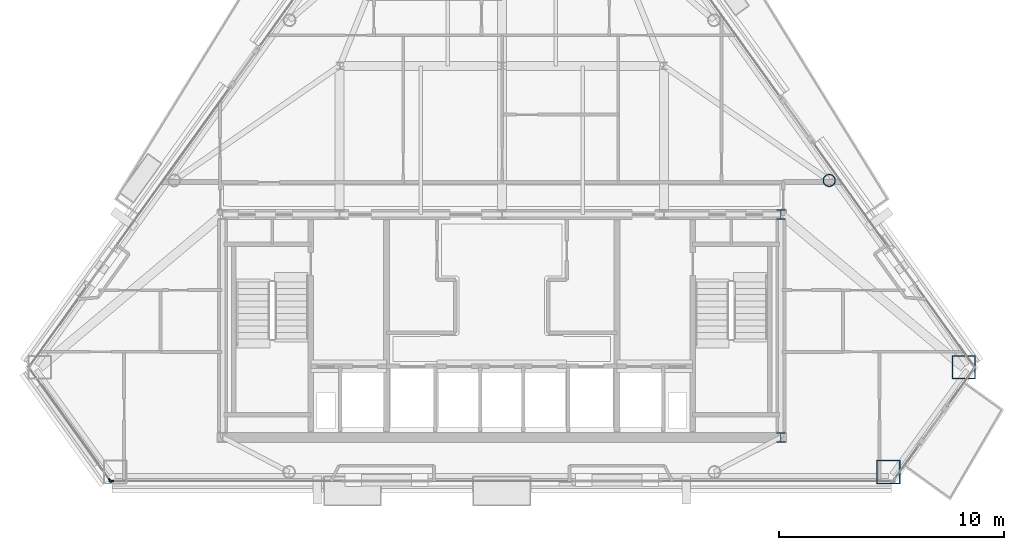
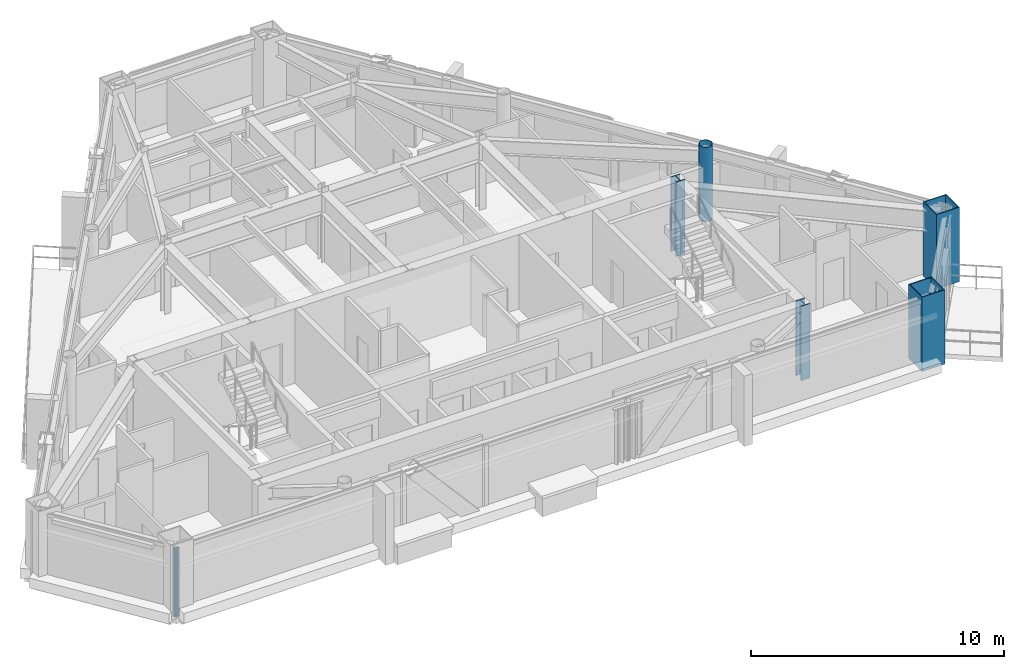
# One storey, part 2 of 12: 5 columns, 2 members, 2 elements without a shape of their own.
"""IFC4 building model written with IfcOpenShell, lengths in metres."""

import ifcopenshell
import ifcopenshell.guid

model = None  # the IFC model being written
_history = None  # IfcOwnerHistory: only IFC2X3 demands one
_inside = {}  # id of a spatial element -> (the spatial element, [elements in it])
_under = {}  # id of a project, library or spatial element -> (it, [spatial elements below it])
_declared = {}  # id of a project -> (the project, [libraries it declares])
_typed = {}  # id of a type object -> (the type object, [elements of that type])
_made_of = {}  # id of a material, layer set ... -> (it, [elements and type objects made of it])


def new_model(schema):
    """Start an empty IFC model of exactly this schema.

    Asked for "IFC4X3", IfcOpenShell would pick the latest addendum, in which some entities
    have other attributes; the version numbers below select the first issue.
    IFC2X3 requires an IfcOwnerHistory on every rooted entity: one is made here for all.
    """
    global model, _history
    if schema == "IFC4X3":
        model = ifcopenshell.file(schema_version=(4, 3, 0, 0))
    else:
        model = ifcopenshell.file(schema=schema)
    _inside.clear()
    _under.clear()
    _declared.clear()
    _typed.clear()
    _made_of.clear()
    _history = None
    if model.schema == "IFC2X3":
        org = make("IfcOrganization", Name="unknown")
        user = make(
            "IfcPersonAndOrganization",
            ThePerson=make("IfcPerson", FamilyName="unknown"),
            TheOrganization=org,
        )
        app = make(
            "IfcApplication",
            ApplicationDeveloper=org,
            Version="unknown",
            ApplicationFullName="unknown",
            ApplicationIdentifier="unknown",
        )
        _history = make(
            "IfcOwnerHistory",
            OwningUser=user,
            OwningApplication=app,
            ChangeAction="ADDED",
            CreationDate=0,
        )
    return model


def make(cls, **values):
    """One entity of the class cls with the attributes given. An attribute that is None is left unset."""
    return model.create_entity(
        cls, **{name: value for name, value in values.items() if value is not None}
    )


def rooted(cls, **values):
    """An entity with a GlobalId (a new one), such as an element, a storey or a relation."""
    return make(cls, GlobalId=ifcopenshell.guid.new(), OwnerHistory=_history, **values)


def si_unit(unit_type, name, prefix=None):
    """IfcSIUnit, for example si_unit("LENGTHUNIT", "METRE", prefix="MILLI")."""
    return make("IfcSIUnit", UnitType=unit_type, Prefix=prefix, Name=name)


def assignment(units):
    """IfcUnitAssignment: the units of a project."""
    return None if units is None else make("IfcUnitAssignment", Units=units)


def point(xyz):
    """IfcCartesianPoint."""
    return None if xyz is None else make("IfcCartesianPoint", Coordinates=xyz)


def direction(xyz):
    """IfcDirection."""
    return None if xyz is None else make("IfcDirection", DirectionRatios=xyz)


def frame(location, z_axis=None, x_axis=None):
    """IfcAxis2Placement3D, a coordinate frame: its origin and axes. An axis left out is left unset."""
    return make(
        "IfcAxis2Placement3D",
        Location=point(location),
        Axis=direction(z_axis),
        RefDirection=direction(x_axis),
    )


def frame_2d(location, x_axis=None):
    """IfcAxis2Placement2D, a coordinate frame in the plane: its origin and x axis."""
    return make(
        "IfcAxis2Placement2D", Location=point(location), RefDirection=direction(x_axis)
    )


def origin():
    """The frame at (0, 0, 0) with its axes left unset."""
    return frame((0.0, 0.0, 0.0))


def origin_2d():
    """The frame at (0, 0) in the plane with its x axis left unset."""
    return frame_2d((0.0, 0.0))


def place(relative_to, where):
    """IfcLocalPlacement: puts the frame where relative to a parent placement (None: the world)."""
    return make(
        "IfcLocalPlacement", PlacementRelTo=relative_to, RelativePlacement=where
    )


def context(
    kind, dimensions, precision=None, world=None, true_north=None, identifier=None
):
    """IfcGeometricRepresentationContext, for example the 3D "Model" context."""
    return make(
        "IfcGeometricRepresentationContext",
        ContextIdentifier=identifier,
        ContextType=kind,
        CoordinateSpaceDimension=dimensions,
        Precision=precision,
        WorldCoordinateSystem=world,
        TrueNorth=true_north,
    )


def subcontext(parent, identifier, kind, view, scale=None):
    """IfcGeometricRepresentationSubContext, for example "Body" below "Model"."""
    return make(
        "IfcGeometricRepresentationSubContext",
        ContextIdentifier=identifier,
        ContextType=kind,
        ParentContext=parent,
        TargetScale=scale,
        TargetView=view,
    )


def project(units=None, contexts=None):
    """IfcProject with its units and contexts."""
    return rooted(
        "IfcProject",
        Name="project",
        RepresentationContexts=contexts,
        UnitsInContext=assignment(units),
    )


def spatial(cls, under=None, at=None, **own):
    """A site, building, storey or space (cls), placed at a placement, below another one or the project."""
    s = rooted(cls, ObjectPlacement=at, **own)
    if under is not None:
        _under.setdefault(under.id(), (under, []))[1].append(s)
    return s


def profile(cls, at=None, kind="AREA", **sizes):
    """A parametric profile (cls). Its sizes go by their IFC names, for example OverallWidth=200.0."""
    return make(cls, ProfileType=kind, Position=at, **sizes)


def rectangle(**sizes):
    """IfcRectangleProfileDef."""
    return profile("IfcRectangleProfileDef", **sizes)


def hollow_rectangle(**sizes):
    """IfcRectangleHollowProfileDef."""
    return profile("IfcRectangleHollowProfileDef", **sizes)


def hollow_circle(**sizes):
    """IfcCircleHollowProfileDef."""
    return profile("IfcCircleHollowProfileDef", **sizes)


def i_section(**sizes):
    """IfcIShapeProfileDef."""
    return profile("IfcIShapeProfileDef", **sizes)


def extrude(swept, where, along, depth):
    """IfcExtrudedAreaSolid: the profile swept, set in the frame where, extruded along a direction by depth."""
    return make(
        "IfcExtrudedAreaSolid",
        SweptArea=swept,
        Position=where,
        ExtrudedDirection=direction(along),
        Depth=depth,
    )


def shape(context_of_items, identifier, shape_type, items):
    """IfcShapeRepresentation: the items that make up one representation, for example the "Body"."""
    return make(
        "IfcShapeRepresentation",
        ContextOfItems=context_of_items,
        RepresentationIdentifier=identifier,
        RepresentationType=shape_type,
        Items=items,
    )


def material(Name=None, Category=None):
    """IfcMaterial."""
    return make("IfcMaterial", Name=Name, Category=Category)


def layer(
    of_material, thickness, ventilated=None, Name=None, Category=None, Priority=None
):
    """IfcMaterialLayer: one layer of a wall or slab, of a material (None: an air gap)."""
    return make(
        "IfcMaterialLayer",
        Material=of_material,
        LayerThickness=thickness,
        IsVentilated=ventilated,
        Name=Name,
        Category=Category,
        Priority=Priority,
    )


def layer_set(layers, Name=None):
    """IfcMaterialLayerSet."""
    return make("IfcMaterialLayerSet", MaterialLayers=layers, LayerSetName=Name)


def material_profile(
    of_material, cross_section, Name=None, Category=None, Priority=None
):
    """IfcMaterialProfile: a cross section and its material."""
    return make(
        "IfcMaterialProfile",
        Name=Name,
        Material=of_material,
        Profile=cross_section,
        Priority=Priority,
        Category=Category,
    )


def profile_set(profiles, Name=None, composite=None):
    """IfcMaterialProfileSet."""
    return make(
        "IfcMaterialProfileSet",
        Name=Name,
        MaterialProfiles=profiles,
        CompositeProfile=composite,
    )


def made_of(thing, what):
    """Note that an element or type object is made of a material, layer set ...; save() writes the relation."""
    if what is not None:
        _made_of.setdefault(what.id(), (what, []))[1].append(thing)
    return thing


def type_object(cls, material=None, **own):
    """A type object (cls), such as IfcWallType, which elements share."""
    return made_of(rooted(cls, **own), material)


def element(
    cls,
    number,
    at=None,
    inside=None,
    cuts=None,
    type_object=None,
    material=None,
    context=None,
    identifier="Body",
    shape_type=None,
    held_by="IfcProductDefinitionShape",
    body=None,
    shapes=None,
    **own,
):
    """One element of the class cls, such as IfcWall. Its Tag is "e" and its number.

    at: its placement. inside: the storey or other place that contains it. cuts: it is an
    opening in that element (IfcRelVoidsElement). A single representation is given by context,
    identifier, shape_type and body (its items); several are given by shapes. held_by: the class
    of the entity that holds the representations. save() writes the other relations.
    """
    e = rooted(cls, Tag="e%d" % number, ObjectPlacement=at, **own)
    if body is not None:
        shapes = [shape(context, identifier, shape_type, body)]
    if shapes is not None:
        e.Representation = make(held_by, Representations=shapes)
    if inside is not None:
        _inside.setdefault(inside.id(), (inside, []))[1].append(e)
    if cuts is not None:
        rooted(
            "IfcRelVoidsElement", RelatingBuildingElement=cuts, RelatedOpeningElement=e
        )
    if type_object is not None:
        _typed.setdefault(type_object.id(), (type_object, []))[1].append(e)
    return made_of(e, material)


def aggregate(whole, parts):
    """IfcRelAggregates: a whole, such as a stair, and the parts it consists of."""
    return rooted("IfcRelAggregates", RelatingObject=whole, RelatedObjects=parts)


def save(model, path):
    """Write the relations noted so far, then the file.

    IfcRelAggregates (storeys below a building ...), IfcRelContainedInSpatialStructure (elements
    in a storey), IfcRelDefinesByType, IfcRelAssociatesMaterial and IfcRelDeclares: one each for
    every whole, place, type object, material and project.
    """
    for whole, parts in _under.values():
        aggregate(whole, parts)
    for where, things in _inside.values():
        rooted(
            "IfcRelContainedInSpatialStructure",
            RelatedElements=things,
            RelatingStructure=where,
        )
    for kind, things in _typed.values():
        rooted("IfcRelDefinesByType", RelatedObjects=things, RelatingType=kind)
    for what, things in _made_of.values():
        rooted("IfcRelAssociatesMaterial", RelatedObjects=things, RelatingMaterial=what)
    for by, libraries in _declared.values():
        rooted("IfcRelDeclares", RelatingContext=by, RelatedDefinitions=libraries)
    model.write(path)


model = new_model("IFC4")

# Units and contexts
model_context = context("Model", 3, precision=1e-05, world=origin(), true_north=direction((0.0, 1.0)))
body_context = subcontext(model_context, "Body", "Model", "MODEL_VIEW")
ifc_project = project(units=[si_unit("LENGTHUNIT", "METRE"), si_unit("AREAUNIT", "SQUARE_METRE"), si_unit("VOLUMEUNIT", "CUBIC_METRE"), si_unit("PLANEANGLEUNIT", "RADIAN"), si_unit("MASSUNIT", "GRAM", prefix="KILO")], contexts=[model_context])

# Site, building, storey
site_placement = place(None, origin())
site = spatial("IfcSite", under=ifc_project, at=site_placement, CompositionType="ELEMENT")
building_placement = place(site_placement, origin())
building = spatial("IfcBuilding", under=site, at=building_placement, Name="Talgorran Terracotta Tower", CompositionType="ELEMENT")
storey_placement = place(building_placement, frame((0.0, 0.0, 192.89990234375)))
storey = spatial("IfcBuildingStorey", under=building, at=storey_placement, Name="L50", CompositionType="ELEMENT", Elevation=192.89990234375)

# Columns
ifc_material_1 = material(Name="Steel S355 (300PLUS)", Category="steel")
ifc_material_profile_1 = material_profile(ifc_material_1, i_section(OverallWidth=0.39990234375, OverallDepth=0.43994140625, WebThickness=0.028076171875, FlangeThickness=0.0400390625, at=origin_2d()), Name="400WC328")
ifc_profile_set_1 = profile_set([ifc_material_profile_1], Name="Steel S355 (300PLUS)")
column_type_1 = type_object("IfcColumnType", Name="COL_400WC328", PredefinedType="COLUMN", material=ifc_profile_set_1)
for number, where, z_axis, x_axis, name in (
    (1, (12.39990234375, -14.10009765625, 0.0), (0.0, 0.0, 1.0), (1.0, 0.0, 0.0), "L50 Core Boundary Column CC2"),
    (2, (12.39990234375, -4.199951171875, 0.0), (0.0, 0.0, 1.0), (1.0, 0.0, 0.0), "L50 Core Boundary Column CC3"),
):
    element("IfcColumn", number, at=place(storey_placement, frame(where, z_axis=z_axis, x_axis=x_axis)), inside=storey, type_object=column_type_1, Name=name, PredefinedType="COLUMN", context=body_context, shape_type="SweptSolid", body=[
        extrude(i_section(OverallWidth=0.39990234375, OverallDepth=0.43994140625, WebThickness=0.028076171875, FlangeThickness=0.0400390625, at=origin_2d()), origin(), (0.0, 0.0, 1.0), 3.60009765625),
    ])
ifc_material_2 = material(Name="Steel Grade 350 (350L0)", Category="steel")
ifc_material_profile_2 = material_profile(ifc_material_2, hollow_rectangle(XDim=1.050048828125, YDim=1.050048828125, WallThickness=0.044921875, at=origin_2d()), Name="CFT1050X1050X45")
ifc_profile_set_2 = profile_set([ifc_material_profile_2], Name="Steel Grade 350 (350L0)")
column_type_2 = type_object("IfcColumnType", Name="COL_CFT_1050", PredefinedType="COLUMN", material=ifc_profile_set_2)
for number, where, z_axis, x_axis, name in (
    (3, (17.1796875, -15.64111328125, 0.0), (0.0, 0.0, 1.0), (1.0, 0.0, 0.0), "L50 Corner CFT Mega-Column MC3"),
    (4, (20.524169921875, -10.9921875, 0.0), (0.0, 0.0, 1.0), (1.0, 0.0, 0.0), "L50 Corner CFT Mega-Column MC4"),
):
    element("IfcColumn", number, at=place(storey_placement, frame(where, z_axis=z_axis, x_axis=x_axis)), inside=storey, type_object=column_type_2, Name=name, PredefinedType="COLUMN", context=body_context, shape_type="SweptSolid", body=[
        extrude(hollow_rectangle(XDim=1.050048828125, YDim=1.050048828125, WallThickness=0.044921875, at=origin_2d()), origin(), (0.0, 0.0, 1.0), 3.60009765625),
    ])
ifc_material_profile_3 = material_profile(ifc_material_2, hollow_circle(Radius=0.27490234375, WallThickness=0.02392578125, at=origin_2d()), Name="CHS550X24")
ifc_profile_set_3 = profile_set([ifc_material_profile_3], Name="Steel Grade 350 (350L0)")
column_type_3 = type_object("IfcColumnType", Name="COL_CHS_550", PredefinedType="COLUMN", material=ifc_profile_set_3)
column_placement = place(storey_placement, frame((14.548828125, -2.686279296875, 0.0), z_axis=(0.0, 0.0, 1.0), x_axis=(1.0, 0.0, 0.0)))
element("IfcColumn", 5, at=column_placement, inside=storey, type_object=column_type_3, Name="L50 Facet Perimeter Column FC3", PredefinedType="COLUMN", context=body_context, shape_type="SweptSolid", body=[
    extrude(hollow_circle(Radius=0.27490234375, WallThickness=0.02392578125, at=origin_2d()), origin(), (0.0, 0.0, 1.0), 3.60009765625),
])

# Curtain wall, member
ifc_material_3 = material(Name="High-Wind Unitised Glazing", Category="glass")
ifc_layer = layer(ifc_material_3, 0.2099609375, Name="CW_SYS3_RES_HIGH")
ifc_layer_set = layer_set([ifc_layer], Name="High-Wind Unitised Glazing")
curtain_wall_type = type_object("IfcCurtainWallType", Name="CW_SYS3_RES_HIGH", PredefinedType="NOTDEFINED", material=ifc_layer_set)
curtain_wall_1_placement = place(storey_placement, origin())
curtain_wall_1 = element("IfcCurtainWall", 6, at=curtain_wall_1_placement, inside=storey, type_object=curtain_wall_type, Name="CW-L50-F0", PredefinedType="NOTDEFINED")
ifc_material_4 = material(Name="Architectural Aluminium 6063-T6", Category="aluminium")
ifc_material_profile_4 = material_profile(ifc_material_4, rectangle(XDim=0.070068359375, YDim=0.199951171875, at=origin_2d()), Name="CWM70X200")
ifc_profile_set_4 = profile_set([ifc_material_profile_4], Name="Architectural Aluminium 6063-T6")
member_type = type_object("IfcMemberType", Name="MUL_70X200", PredefinedType="MULLION", material=ifc_profile_set_4)
member_1_placement = place(storey_placement, frame((-17.405029296875, -16.0126953125, 0.0), z_axis=(0.0, 0.0, 1.0), x_axis=(0.811769090011, 0.583978547982, 0.0)))
member_1 = element("IfcMember", 7, at=member_1_placement, type_object=member_type, Name="CW-L50-0 mullion 2", PredefinedType="MULLION", context=body_context, shape_type="SweptSolid", body=[
    extrude(rectangle(XDim=0.070068359375, YDim=0.199951171875, at=origin_2d()), origin(), (0.0, 0.0, 1.0), 3.35009765625),
])
aggregate(curtain_wall_1, [member_1])

curtain_wall_2_placement = place(storey_placement, origin())
curtain_wall_2 = element("IfcCurtainWall", 8, at=curtain_wall_2_placement, inside=storey, type_object=curtain_wall_type, Name="CW-L50-F1", PredefinedType="NOTDEFINED")
member_2_placement = place(storey_placement, frame((-17.349609375, -16.041015625, 0.0), z_axis=(0.0, 0.0, 1.0), x_axis=(0.0, 1.0, 0.0)))
member_2 = element("IfcMember", 9, at=member_2_placement, type_object=member_type, Name="CW-L50-1 mullion 1", PredefinedType="MULLION", context=body_context, shape_type="SweptSolid", body=[
    extrude(rectangle(XDim=0.070068359375, YDim=0.199951171875, at=origin_2d()), origin(), (0.0, 0.0, 1.0), 3.35009765625),
])
aggregate(curtain_wall_2, [member_2])

save(model, "model.ifc")
